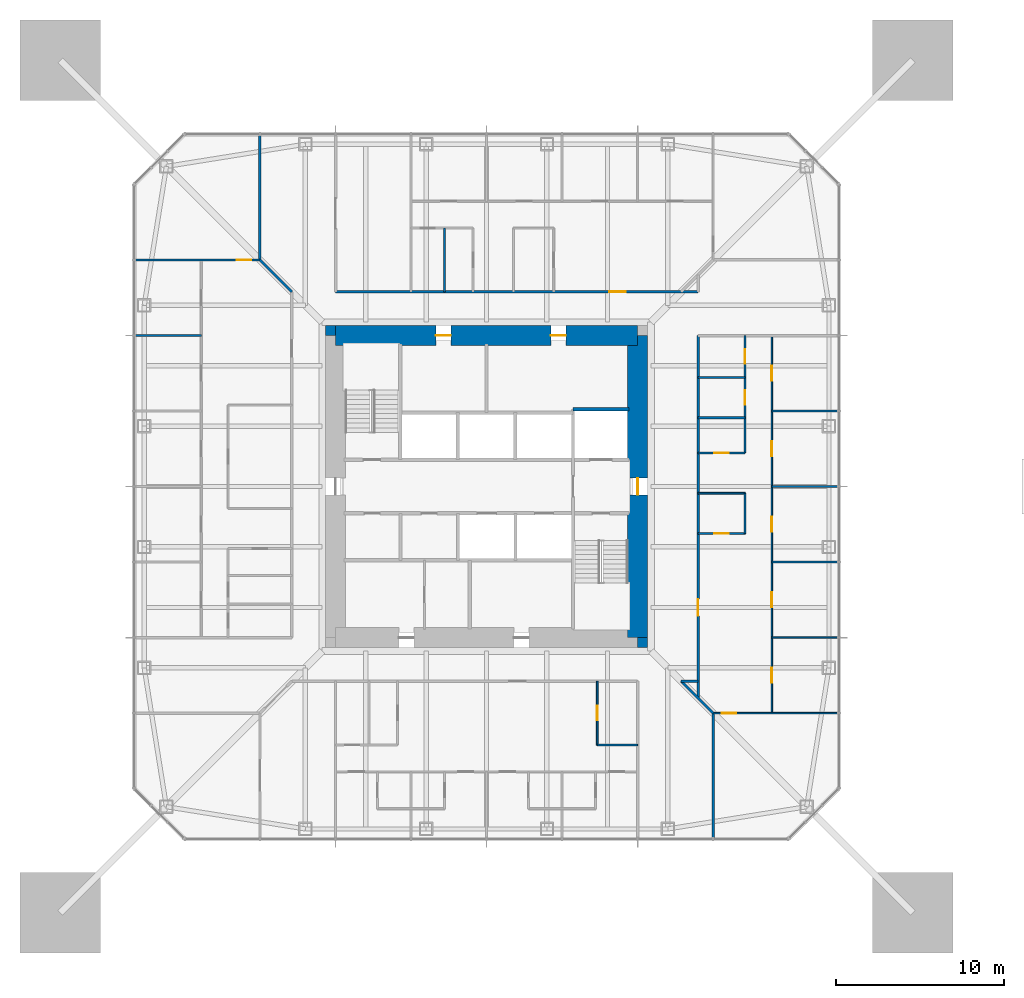
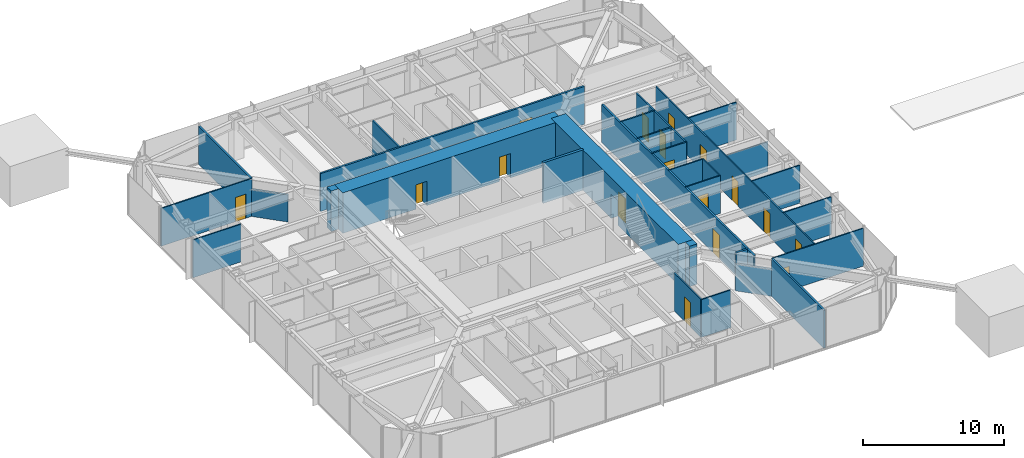
# One storey, part 15 of 25: 30 walls, 17 doors, 17 openings.
"""IFC4 building model written with IfcOpenShell, lengths in metres."""

import ifcopenshell
import ifcopenshell.guid

model = None  # the IFC model being written
_history = None  # IfcOwnerHistory: only IFC2X3 demands one
_inside = {}  # id of a spatial element -> (the spatial element, [elements in it])
_under = {}  # id of a project, library or spatial element -> (it, [spatial elements below it])
_declared = {}  # id of a project -> (the project, [libraries it declares])
_typed = {}  # id of a type object -> (the type object, [elements of that type])
_made_of = {}  # id of a material, layer set ... -> (it, [elements and type objects made of it])


def new_model(schema):
    """Start an empty IFC model of exactly this schema.

    Asked for "IFC4X3", IfcOpenShell would pick the latest addendum, in which some entities
    have other attributes; the version numbers below select the first issue.
    IFC2X3 requires an IfcOwnerHistory on every rooted entity: one is made here for all.
    """
    global model, _history
    if schema == "IFC4X3":
        model = ifcopenshell.file(schema_version=(4, 3, 0, 0))
    else:
        model = ifcopenshell.file(schema=schema)
    _inside.clear()
    _under.clear()
    _declared.clear()
    _typed.clear()
    _made_of.clear()
    _history = None
    if model.schema == "IFC2X3":
        org = make("IfcOrganization", Name="unknown")
        user = make(
            "IfcPersonAndOrganization",
            ThePerson=make("IfcPerson", FamilyName="unknown"),
            TheOrganization=org,
        )
        app = make(
            "IfcApplication",
            ApplicationDeveloper=org,
            Version="unknown",
            ApplicationFullName="unknown",
            ApplicationIdentifier="unknown",
        )
        _history = make(
            "IfcOwnerHistory",
            OwningUser=user,
            OwningApplication=app,
            ChangeAction="ADDED",
            CreationDate=0,
        )
    return model


def make(cls, **values):
    """One entity of the class cls with the attributes given. An attribute that is None is left unset."""
    return model.create_entity(
        cls, **{name: value for name, value in values.items() if value is not None}
    )


def rooted(cls, **values):
    """An entity with a GlobalId (a new one), such as an element, a storey or a relation."""
    return make(cls, GlobalId=ifcopenshell.guid.new(), OwnerHistory=_history, **values)


def si_unit(unit_type, name, prefix=None):
    """IfcSIUnit, for example si_unit("LENGTHUNIT", "METRE", prefix="MILLI")."""
    return make("IfcSIUnit", UnitType=unit_type, Prefix=prefix, Name=name)


def assignment(units):
    """IfcUnitAssignment: the units of a project."""
    return None if units is None else make("IfcUnitAssignment", Units=units)


def point(xyz):
    """IfcCartesianPoint."""
    return None if xyz is None else make("IfcCartesianPoint", Coordinates=xyz)


def direction(xyz):
    """IfcDirection."""
    return None if xyz is None else make("IfcDirection", DirectionRatios=xyz)


def frame(location, z_axis=None, x_axis=None):
    """IfcAxis2Placement3D, a coordinate frame: its origin and axes. An axis left out is left unset."""
    return make(
        "IfcAxis2Placement3D",
        Location=point(location),
        Axis=direction(z_axis),
        RefDirection=direction(x_axis),
    )


def frame_2d(location, x_axis=None):
    """IfcAxis2Placement2D, a coordinate frame in the plane: its origin and x axis."""
    return make(
        "IfcAxis2Placement2D", Location=point(location), RefDirection=direction(x_axis)
    )


def origin():
    """The frame at (0, 0, 0) with its axes left unset."""
    return frame((0.0, 0.0, 0.0))


def place(relative_to, where):
    """IfcLocalPlacement: puts the frame where relative to a parent placement (None: the world)."""
    return make(
        "IfcLocalPlacement", PlacementRelTo=relative_to, RelativePlacement=where
    )


def context(
    kind, dimensions, precision=None, world=None, true_north=None, identifier=None
):
    """IfcGeometricRepresentationContext, for example the 3D "Model" context."""
    return make(
        "IfcGeometricRepresentationContext",
        ContextIdentifier=identifier,
        ContextType=kind,
        CoordinateSpaceDimension=dimensions,
        Precision=precision,
        WorldCoordinateSystem=world,
        TrueNorth=true_north,
    )


def subcontext(parent, identifier, kind, view, scale=None):
    """IfcGeometricRepresentationSubContext, for example "Body" below "Model"."""
    return make(
        "IfcGeometricRepresentationSubContext",
        ContextIdentifier=identifier,
        ContextType=kind,
        ParentContext=parent,
        TargetScale=scale,
        TargetView=view,
    )


def project(units=None, contexts=None):
    """IfcProject with its units and contexts."""
    return rooted(
        "IfcProject",
        Name="project",
        RepresentationContexts=contexts,
        UnitsInContext=assignment(units),
    )


def spatial(cls, under=None, at=None, **own):
    """A site, building, storey or space (cls), placed at a placement, below another one or the project."""
    s = rooted(cls, ObjectPlacement=at, **own)
    if under is not None:
        _under.setdefault(under.id(), (under, []))[1].append(s)
    return s


def profile(cls, at=None, kind="AREA", **sizes):
    """A parametric profile (cls). Its sizes go by their IFC names, for example OverallWidth=200.0."""
    return make(cls, ProfileType=kind, Position=at, **sizes)


def rectangle(**sizes):
    """IfcRectangleProfileDef."""
    return profile("IfcRectangleProfileDef", **sizes)


def extrude(swept, where, along, depth):
    """IfcExtrudedAreaSolid: the profile swept, set in the frame where, extruded along a direction by depth."""
    return make(
        "IfcExtrudedAreaSolid",
        SweptArea=swept,
        Position=where,
        ExtrudedDirection=direction(along),
        Depth=depth,
    )


def shape(context_of_items, identifier, shape_type, items):
    """IfcShapeRepresentation: the items that make up one representation, for example the "Body"."""
    return make(
        "IfcShapeRepresentation",
        ContextOfItems=context_of_items,
        RepresentationIdentifier=identifier,
        RepresentationType=shape_type,
        Items=items,
    )


def material(Name=None, Category=None):
    """IfcMaterial."""
    return make("IfcMaterial", Name=Name, Category=Category)


def layer(
    of_material, thickness, ventilated=None, Name=None, Category=None, Priority=None
):
    """IfcMaterialLayer: one layer of a wall or slab, of a material (None: an air gap)."""
    return make(
        "IfcMaterialLayer",
        Material=of_material,
        LayerThickness=thickness,
        IsVentilated=ventilated,
        Name=Name,
        Category=Category,
        Priority=Priority,
    )


def layer_set(layers, Name=None):
    """IfcMaterialLayerSet."""
    return make("IfcMaterialLayerSet", MaterialLayers=layers, LayerSetName=Name)


def made_of(thing, what):
    """Note that an element or type object is made of a material, layer set ...; save() writes the relation."""
    if what is not None:
        _made_of.setdefault(what.id(), (what, []))[1].append(thing)
    return thing


def type_object(cls, material=None, **own):
    """A type object (cls), such as IfcWallType, which elements share."""
    return made_of(rooted(cls, **own), material)


def element(
    cls,
    number,
    at=None,
    inside=None,
    cuts=None,
    type_object=None,
    material=None,
    context=None,
    identifier="Body",
    shape_type=None,
    held_by="IfcProductDefinitionShape",
    body=None,
    shapes=None,
    **own,
):
    """One element of the class cls, such as IfcWall. Its Tag is "e" and its number.

    at: its placement. inside: the storey or other place that contains it. cuts: it is an
    opening in that element (IfcRelVoidsElement). A single representation is given by context,
    identifier, shape_type and body (its items); several are given by shapes. held_by: the class
    of the entity that holds the representations. save() writes the other relations.
    """
    e = rooted(cls, Tag="e%d" % number, ObjectPlacement=at, **own)
    if body is not None:
        shapes = [shape(context, identifier, shape_type, body)]
    if shapes is not None:
        e.Representation = make(held_by, Representations=shapes)
    if inside is not None:
        _inside.setdefault(inside.id(), (inside, []))[1].append(e)
    if cuts is not None:
        rooted(
            "IfcRelVoidsElement", RelatingBuildingElement=cuts, RelatedOpeningElement=e
        )
    if type_object is not None:
        _typed.setdefault(type_object.id(), (type_object, []))[1].append(e)
    return made_of(e, material)


def fill(opening, filler):
    """IfcRelFillsElement: the door or window that sits in an opening."""
    return rooted(
        "IfcRelFillsElement",
        RelatingOpeningElement=opening,
        RelatedBuildingElement=filler,
    )


def aggregate(whole, parts):
    """IfcRelAggregates: a whole, such as a stair, and the parts it consists of."""
    return rooted("IfcRelAggregates", RelatingObject=whole, RelatedObjects=parts)


def save(model, path):
    """Write the relations noted so far, then the file.

    IfcRelAggregates (storeys below a building ...), IfcRelContainedInSpatialStructure (elements
    in a storey), IfcRelDefinesByType, IfcRelAssociatesMaterial and IfcRelDeclares: one each for
    every whole, place, type object, material and project.
    """
    for whole, parts in _under.values():
        aggregate(whole, parts)
    for where, things in _inside.values():
        rooted(
            "IfcRelContainedInSpatialStructure",
            RelatedElements=things,
            RelatingStructure=where,
        )
    for kind, things in _typed.values():
        rooted("IfcRelDefinesByType", RelatedObjects=things, RelatingType=kind)
    for what, things in _made_of.values():
        rooted("IfcRelAssociatesMaterial", RelatedObjects=things, RelatingMaterial=what)
    for by, libraries in _declared.values():
        rooted("IfcRelDeclares", RelatingContext=by, RelatedDefinitions=libraries)
    model.write(path)


model = new_model("IFC4")

# Units and contexts
model_context = context("Model", 3, precision=1e-05, world=origin(), true_north=direction((0.0, 1.0)))
body_context = subcontext(model_context, "Body", "Model", "MODEL_VIEW")
ifc_project = project(units=[si_unit("LENGTHUNIT", "METRE"), si_unit("AREAUNIT", "SQUARE_METRE"), si_unit("VOLUMEUNIT", "CUBIC_METRE"), si_unit("PLANEANGLEUNIT", "RADIAN"), si_unit("MASSUNIT", "GRAM", prefix="KILO")], contexts=[model_context])

# Site, building, storey
site_placement = place(None, origin())
site = spatial("IfcSite", under=ifc_project, at=site_placement, CompositionType="ELEMENT")
building_placement = place(site_placement, origin())
building = spatial("IfcBuilding", under=site, at=building_placement, Name="Iwan Alto Co-Living Towers", CompositionType="ELEMENT")
storey_placement = place(building_placement, frame((0.0, 0.0, 101.5)))
storey = spatial("IfcBuildingStorey", under=building, at=storey_placement, Name="L27", CompositionType="ELEMENT", Elevation=101.5)

# Wall
ifc_material_1 = material(Name="Gypsum board")
ifc_layer_1 = layer(ifc_material_1, 0.02490234375, Name="Board", Category="Finish")
ifc_material_2 = material(Name="Steel ASTM A1003 ST33H cold-formed studs", Category="steel")
ifc_layer_2 = layer(ifc_material_2, 0.10009765625, Name="Studs", Category="Framing")
ifc_layer_3 = layer(ifc_material_1, 0.02490234375, Name="Board", Category="Finish")
ifc_layer_set_1 = layer_set([ifc_layer_1, ifc_layer_2, ifc_layer_3], Name="CORRIDOR WALL 150")
wall_type_1 = type_object("IfcWallType", Name="CORRIDOR WALL 150", PredefinedType="PARTITIONING", material=ifc_layer_set_1)
wall_1_placement = place(storey_placement, frame((11.60009765625, -11.60009765625, 0.0), z_axis=(0.0, 0.0, 1.0), x_axis=(1.0, 0.0, 0.0)))
element("IfcWall", 1, at=wall_1_placement, inside=storey, type_object=wall_type_1, Name="Partition L27", PredefinedType="PARTITIONING", context=body_context, shape_type="SweptSolid", body=[
    extrude(rectangle(XDim=1.0, YDim=0.14990234375, at=frame_2d((0.5, 0.0))), origin(), (0.0, 0.0, 1.0), 3.27001953125),
])

# Wall, opening, door
wall_2_placement = place(storey_placement, frame((-9.0, 11.60009765625, 0.0), z_axis=(0.0, 0.0, 1.0), x_axis=(1.0, 0.0, 0.0)))
wall_2 = element("IfcWall", 2, at=wall_2_placement, inside=storey, type_object=wall_type_1, Name="Partition L27", PredefinedType="PARTITIONING", context=body_context, shape_type="SweptSolid", body=[
    extrude(rectangle(XDim=21.60009765625, YDim=0.14990234375, at=frame_2d((10.800048828125, 0.0))), origin(), (0.0, 0.0, 1.0), 3.27001953125),
])
opening_1_placement = place(wall_2_placement, frame((16.300048828125, 0.0, 0.0)))
opening_1 = element("IfcOpeningElement", 3, at=opening_1_placement, cuts=wall_2, Name="Opening D3", PredefinedType="OPENING", context=body_context, shape_type="SweptSolid", body=[
    extrude(rectangle(XDim=1.0, YDim=2.10009765625, at=frame_2d((0.5, 1.050048828125))), frame((0.0, 0.0849609375, 0.0), z_axis=(0.0, -1.0, 0.0), x_axis=(1.0, 0.0, 0.0)), (0.0, 0.0, 1.0), 0.169921875),
])
ifc_material_3 = material(Name="Steel frame with timber leaf", Category="steel")
door_type_1 = type_object("IfcDoorType", Name="FLAT ENTRANCE DOOR FD30S 1000X2100", OperationType="SINGLE_SWING_LEFT", PredefinedType="DOOR", material=ifc_material_3)
door_1_placement = place(opening_1_placement, origin())
door_1 = element("IfcDoor", 4, at=door_1_placement, inside=storey, type_object=door_type_1, Name="Cluster lounge door L27", OperationType="SINGLE_SWING_LEFT", OverallHeight=2.10009765625, OverallWidth=1.0, PredefinedType="DOOR", context=body_context, shape_type="SweptSolid", body=[
    extrude(rectangle(XDim=1.0, YDim=2.10009765625, at=frame_2d((0.5, 1.050048828125))), frame((0.0, 0.02490234375, 0.0), z_axis=(0.0, -1.0, 0.0), x_axis=(1.0, 0.0, 0.0)), (0.0, 0.0, 1.0), 0.050048828125),
])
fill(opening_1, door_1)

# Wall
wall_3_placement = place(storey_placement, frame((13.5, -20.93994140625, 0.0), z_axis=(0.0, 0.0, 1.0), x_axis=(0.0, 1.0, 0.0)))
element("IfcWall", 5, at=wall_3_placement, inside=storey, type_object=wall_type_1, Name="Partition L27", PredefinedType="PARTITIONING", context=body_context, shape_type="SweptSolid", body=[
    extrude(rectangle(XDim=7.43994140625, YDim=0.14990234375, at=frame_2d((3.719970703125, 0.0))), origin(), (0.0, 0.0, 1.0), 3.27001953125),
])

# Wall, opening, door
wall_4_placement = place(storey_placement, frame((12.60009765625, -12.60009765625, 0.0), z_axis=(0.0, 0.0, 1.0), x_axis=(0.0, 1.0, 0.0)))
wall_4 = element("IfcWall", 6, at=wall_4_placement, inside=storey, type_object=wall_type_1, Name="Partition L27", PredefinedType="PARTITIONING", context=body_context, shape_type="SweptSolid", body=[
    extrude(rectangle(XDim=21.60009765625, YDim=0.14990234375, at=frame_2d((10.800048828125, 0.0))), origin(), (0.0, 0.0, 1.0), 3.27001953125),
])
opening_2_placement = place(wall_4_placement, frame((4.89990234375, 0.0, 0.0)))
opening_2 = element("IfcOpeningElement", 7, at=opening_2_placement, cuts=wall_4, Name="Opening D3", PredefinedType="OPENING", context=body_context, shape_type="SweptSolid", body=[
    extrude(rectangle(XDim=1.0, YDim=2.10009765625, at=frame_2d((0.5, 1.050048828125))), frame((0.0, 0.0849609375, 0.0), z_axis=(0.0, -1.0, 0.0), x_axis=(1.0, 0.0, 0.0)), (0.0, 0.0, 1.0), 0.169921875),
])
door_2_placement = place(opening_2_placement, frame((1.0, 0.0, 0.0), z_axis=(0.0, 0.0, 1.0), x_axis=(-1.0, 0.0, 0.0)))
door_2 = element("IfcDoor", 8, at=door_2_placement, inside=storey, type_object=door_type_1, Name="Cluster lounge door L27", OperationType="SINGLE_SWING_LEFT", OverallHeight=2.10009765625, OverallWidth=1.0, PredefinedType="DOOR", context=body_context, shape_type="SweptSolid", body=[
    extrude(rectangle(XDim=1.0, YDim=2.10009765625, at=frame_2d((0.5, 1.050048828125))), frame((0.0, 0.02490234375, 0.0), z_axis=(0.0, -1.0, 0.0), x_axis=(1.0, 0.0, 0.0)), (0.0, 0.0, 1.0), 0.050048828125),
])
fill(opening_2, door_2)

# Walls
wall_5_placement = place(storey_placement, frame((-13.5, 13.5, 0.0), z_axis=(0.0, 0.0, 1.0), x_axis=(0.0, 1.0, 0.0)))
element("IfcWall", 9, at=wall_5_placement, inside=storey, type_object=wall_type_1, Name="Partition L27", PredefinedType="PARTITIONING", context=body_context, shape_type="SweptSolid", body=[
    extrude(rectangle(XDim=7.43994140625, YDim=0.14990234375, at=frame_2d((3.719970703125, 0.0))), origin(), (0.0, 0.0, 1.0), 3.27001953125),
])
for number, where, z_axis, x_axis, name in (
    (10, (13.5, -13.5, 0.0), (0.0, 0.0, 1.0), (-0.707106781187, 0.707106781187, 0.0), "Partition L27"),
    (11, (-11.60009765625, 11.60009765625, 0.0), (0.0, 0.0, 1.0), (-0.707106781187, 0.707106781187, 0.0), "Partition L27"),
):
    element("IfcWall", number, at=place(storey_placement, frame(where, z_axis=z_axis, x_axis=x_axis)), inside=storey, type_object=wall_type_1, Name=name, PredefinedType="PARTITIONING", context=body_context, shape_type="SweptSolid", body=[
        extrude(rectangle(XDim=2.686767578125, YDim=0.14990234375, at=frame_2d((1.34326171875, 0.0))), origin(), (0.0, 0.0, 1.0), 2.343017578125),
    ])
ifc_layer_4 = layer(ifc_material_1, 0.012451171875, Name="Board", Category="Finish")
ifc_layer_5 = layer(ifc_material_2, 0.074951171875, Name="Studs", Category="Framing")
ifc_layer_6 = layer(ifc_material_1, 0.012451171875, Name="Board", Category="Finish")
ifc_layer_set_2 = layer_set([ifc_layer_4, ifc_layer_5, ifc_layer_6], Name="PARTITION 100")
wall_type_2 = type_object("IfcWallType", Name="PARTITION 100", PredefinedType="PARTITIONING", material=ifc_layer_set_2)
wall_6_placement = place(storey_placement, frame((6.60009765625, -15.39990234375, 0.0), z_axis=(0.0, 0.0, 1.0), x_axis=(1.0, 0.0, 0.0)))
element("IfcWall", 12, at=wall_6_placement, inside=storey, type_object=wall_type_2, Name="Partition L27", PredefinedType="PARTITIONING", context=body_context, shape_type="SweptSolid", body=[
    extrude(rectangle(XDim=2.39990234375, YDim=0.10009765625, at=frame_2d((1.199951171875, 0.0))), origin(), (0.0, 0.0, 1.0), 3.27001953125),
])

# Wall, opening, door
wall_7_placement = place(storey_placement, frame((13.5, -13.5, 0.0), z_axis=(0.0, 0.0, 1.0), x_axis=(1.0, 0.0, 0.0)))
wall_7 = element("IfcWall", 13, at=wall_7_placement, inside=storey, type_object=wall_type_2, Name="Partition L27", PredefinedType="PARTITIONING", context=body_context, shape_type="SweptSolid", body=[
    extrude(rectangle(XDim=7.43994140625, YDim=0.10009765625, at=frame_2d((3.719970703125, 0.0))), origin(), (0.0, 0.0, 1.0), 3.27001953125),
])
opening_3_placement = place(wall_7_placement, frame((0.52490234375, 0.0, 0.0)))
opening_3 = element("IfcOpeningElement", 14, at=opening_3_placement, cuts=wall_7, Name="Opening D2", PredefinedType="OPENING", context=body_context, shape_type="SweptSolid", body=[
    extrude(rectangle(XDim=0.85009765625, YDim=2.10009765625, at=frame_2d((0.425048828125, 1.050048828125))), frame((0.0, 0.06005859375, 0.0), z_axis=(0.0, -1.0, 0.0), x_axis=(1.0, 0.0, 0.0)), (0.0, 0.0, 1.0), 0.1201171875),
])
ifc_material_4 = material(Name="Timber leaf in steel frame", Category="steel")
door_type_2 = type_object("IfcDoorType", Name="ROOM DOOR 850X2100", OperationType="SINGLE_SWING_LEFT", PredefinedType="DOOR", material=ifc_material_4)
door_3_placement = place(opening_3_placement, origin())
door_3 = element("IfcDoor", 15, at=door_3_placement, inside=storey, type_object=door_type_2, Name="Shared kitchen and lounge door L27", OperationType="SINGLE_SWING_LEFT", OverallHeight=2.10009765625, OverallWidth=0.85009765625, PredefinedType="DOOR", context=body_context, shape_type="SweptSolid", body=[
    extrude(rectangle(XDim=0.85009765625, YDim=2.10009765625, at=frame_2d((0.425048828125, 1.050048828125))), frame((0.0, 0.02490234375, 0.0), z_axis=(0.0, -1.0, 0.0), x_axis=(1.0, 0.0, 0.0)), (0.0, 0.0, 1.0), 0.050048828125),
])
fill(opening_3, door_3)

# Walls
for number, where, z_axis, x_axis, name in (
    (16, (17.0, -9.0, 0.0), (0.0, 0.0, 1.0), (1.0, 0.0, 0.0), "Partition L27"),
    (17, (17.0, -4.5, 0.0), (0.0, 0.0, 1.0), (1.0, 0.0, 0.0), "Partition L27"),
):
    element("IfcWall", number, at=place(storey_placement, frame(where, z_axis=z_axis, x_axis=x_axis)), inside=storey, type_object=wall_type_2, Name=name, PredefinedType="PARTITIONING", context=body_context, shape_type="SweptSolid", body=[
        extrude(rectangle(XDim=3.93994140625, YDim=0.10009765625, at=frame_2d((1.969970703125, 0.0))), origin(), (0.0, 0.0, 1.0), 3.27001953125),
    ])

# Wall, opening, door
wall_8_placement = place(storey_placement, frame((12.60009765625, -2.800048828125, 0.0), z_axis=(0.0, 0.0, 1.0), x_axis=(1.0, 0.0, 0.0)))
wall_8 = element("IfcWall", 18, at=wall_8_placement, inside=storey, type_object=wall_type_2, Name="Partition L27", PredefinedType="PARTITIONING", context=body_context, shape_type="SweptSolid", body=[
    extrude(rectangle(XDim=2.7998046875, YDim=0.10009765625, at=frame_2d((1.39990234375, 0.0))), origin(), (0.0, 0.0, 1.0), 3.27001953125),
])
opening_4_placement = place(wall_8_placement, frame((0.97509765625, 0.0, 0.0)))
opening_4 = element("IfcOpeningElement", 19, at=opening_4_placement, cuts=wall_8, Name="Opening D2", PredefinedType="OPENING", context=body_context, shape_type="SweptSolid", body=[
    extrude(rectangle(XDim=0.85009765625, YDim=2.10009765625, at=frame_2d((0.425048828125, 1.050048828125))), frame((0.0, 0.06005859375, 0.0), z_axis=(0.0, -1.0, 0.0), x_axis=(1.0, 0.0, 0.0)), (0.0, 0.0, 1.0), 0.1201171875),
])
door_4_placement = place(opening_4_placement, frame((0.85009765625, 0.0, 0.0), z_axis=(0.0, 0.0, 1.0), x_axis=(-1.0, 0.0, 0.0)))
door_4 = element("IfcDoor", 20, at=door_4_placement, inside=storey, type_object=door_type_2, Name="Store room door L27", OperationType="SINGLE_SWING_RIGHT", OverallHeight=2.10009765625, OverallWidth=0.85009765625, PredefinedType="DOOR", context=body_context, shape_type="SweptSolid", body=[
    extrude(rectangle(XDim=0.85009765625, YDim=2.10009765625, at=frame_2d((0.425048828125, 1.050048828125))), frame((0.0, 0.02490234375, 0.0), z_axis=(0.0, -1.0, 0.0), x_axis=(1.0, 0.0, 0.0)), (0.0, 0.0, 1.0), 0.050048828125),
])
fill(opening_4, door_4)

# Walls
wall_9_placement = place(storey_placement, frame((12.60009765625, -0.39990234375, 0.0), z_axis=(0.0, 0.0, 1.0), x_axis=(1.0, 0.0, 0.0)))
element("IfcWall", 21, at=wall_9_placement, inside=storey, type_object=wall_type_2, Name="Partition L27", PredefinedType="PARTITIONING", context=body_context, shape_type="SweptSolid", body=[
    extrude(rectangle(XDim=2.7998046875, YDim=0.10009765625, at=frame_2d((1.39990234375, 0.0))), origin(), (0.0, 0.0, 1.0), 3.27001953125),
])
wall_10_placement = place(storey_placement, frame((17.0, 0.0, 0.0), z_axis=(0.0, 0.0, 1.0), x_axis=(1.0, 0.0, 0.0)))
element("IfcWall", 22, at=wall_10_placement, inside=storey, type_object=wall_type_2, Name="Partition L27", PredefinedType="PARTITIONING", context=body_context, shape_type="SweptSolid", body=[
    extrude(rectangle(XDim=3.93994140625, YDim=0.10009765625, at=frame_2d((1.969970703125, 0.0))), origin(), (0.0, 0.0, 1.0), 2.586669921875),
])
for number, where, z_axis, x_axis, name in (
    (23, (17.0, 4.5, 0.0), (0.0, 0.0, 1.0), (1.0, 0.0, 0.0), "Partition L27"),
    (24, (-20.93994140625, 9.0, 0.0), (0.0, 0.0, 1.0), (1.0, 0.0, 0.0), "Partition L27"),
):
    element("IfcWall", number, at=place(storey_placement, frame(where, z_axis=z_axis, x_axis=x_axis)), inside=storey, type_object=wall_type_2, Name=name, PredefinedType="PARTITIONING", context=body_context, shape_type="SweptSolid", body=[
        extrude(rectangle(XDim=3.93994140625, YDim=0.10009765625, at=frame_2d((1.969970703125, 0.0))), origin(), (0.0, 0.0, 1.0), 3.27001953125),
    ])

# Wall, opening, door
wall_11_placement = place(storey_placement, frame((-20.93994140625, 13.5, 0.0), z_axis=(0.0, 0.0, 1.0), x_axis=(1.0, 0.0, 0.0)))
wall_11 = element("IfcWall", 25, at=wall_11_placement, inside=storey, type_object=wall_type_2, Name="Partition L27", PredefinedType="PARTITIONING", context=body_context, shape_type="SweptSolid", body=[
    extrude(rectangle(XDim=7.43994140625, YDim=0.10009765625, at=frame_2d((3.719970703125, 0.0))), origin(), (0.0, 0.0, 1.0), 3.27001953125),
])
opening_5_placement = place(wall_11_placement, frame((6.06494140625, 0.0, 0.0)))
opening_5 = element("IfcOpeningElement", 26, at=opening_5_placement, cuts=wall_11, Name="Opening D2", PredefinedType="OPENING", context=body_context, shape_type="SweptSolid", body=[
    extrude(rectangle(XDim=0.85009765625, YDim=2.10009765625, at=frame_2d((0.425048828125, 1.050048828125))), frame((0.0, 0.06005859375, 0.0), z_axis=(0.0, -1.0, 0.0), x_axis=(1.0, 0.0, 0.0)), (0.0, 0.0, 1.0), 0.1201171875),
])
door_5_placement = place(opening_5_placement, frame((0.85009765625, 0.0, 0.0), z_axis=(0.0, 0.0, 1.0), x_axis=(-1.0, 0.0, 0.0)))
door_5 = element("IfcDoor", 27, at=door_5_placement, inside=storey, type_object=door_type_2, Name="Shared kitchen and lounge door L27", OperationType="SINGLE_SWING_LEFT", OverallHeight=2.10009765625, OverallWidth=0.85009765625, PredefinedType="DOOR", context=body_context, shape_type="SweptSolid", body=[
    extrude(rectangle(XDim=0.85009765625, YDim=2.10009765625, at=frame_2d((0.425048828125, 1.050048828125))), frame((0.0, 0.02490234375, 0.0), z_axis=(0.0, -1.0, 0.0), x_axis=(1.0, 0.0, 0.0)), (0.0, 0.0, 1.0), 0.050048828125),
])
fill(opening_5, door_5)

# Wall, openings, doors
wall_12_placement = place(storey_placement, frame((17.0, -13.5, 0.0), z_axis=(0.0, 0.0, 1.0), x_axis=(0.0, 1.0, 0.0)))
wall_12 = element("IfcWall", 28, at=wall_12_placement, inside=storey, type_object=wall_type_2, Name="Partition L27", PredefinedType="PARTITIONING", context=body_context, shape_type="SweptSolid", body=[
    extrude(rectangle(XDim=22.5, YDim=0.10009765625, at=frame_2d((11.25, 0.0))), origin(), (0.0, 0.0, 1.0), 3.27001953125),
])
opening_6_placement = place(wall_12_placement, frame((1.800048828125, 0.0, 0.0)))
opening_6 = element("IfcOpeningElement", 29, at=opening_6_placement, cuts=wall_12, Name="Opening D1", PredefinedType="OPENING", context=body_context, shape_type="SweptSolid", body=[
    extrude(rectangle(XDim=0.89990234375, YDim=2.10009765625, at=frame_2d((0.449951171875, 1.050048828125))), frame((0.0, 0.06005859375, 0.0), z_axis=(0.0, -1.0, 0.0), x_axis=(1.0, 0.0, 0.0)), (0.0, 0.0, 1.0), 0.1201171875),
])
opening_7_placement = place(wall_12_placement, frame((6.300048828125, 0.0, 0.0)))
opening_7 = element("IfcOpeningElement", 30, at=opening_7_placement, cuts=wall_12, Name="Opening D1", PredefinedType="OPENING", context=body_context, shape_type="SweptSolid", body=[
    extrude(rectangle(XDim=0.89990234375, YDim=2.10009765625, at=frame_2d((0.449951171875, 1.050048828125))), frame((0.0, 0.06005859375, 0.0), z_axis=(0.0, -1.0, 0.0), x_axis=(1.0, 0.0, 0.0)), (0.0, 0.0, 1.0), 0.1201171875),
])
opening_8_placement = place(wall_12_placement, frame((10.800048828125, 0.0, 0.0)))
opening_8 = element("IfcOpeningElement", 31, at=opening_8_placement, cuts=wall_12, Name="Opening D1", PredefinedType="OPENING", context=body_context, shape_type="SweptSolid", body=[
    extrude(rectangle(XDim=0.89990234375, YDim=2.10009765625, at=frame_2d((0.449951171875, 1.050048828125))), frame((0.0, 0.06005859375, 0.0), z_axis=(0.0, -1.0, 0.0), x_axis=(1.0, 0.0, 0.0)), (0.0, 0.0, 1.0), 0.1201171875),
])
opening_9_placement = place(wall_12_placement, frame((15.300048828125, 0.0, 0.0)))
opening_9 = element("IfcOpeningElement", 32, at=opening_9_placement, cuts=wall_12, Name="Opening D1", PredefinedType="OPENING", context=body_context, shape_type="SweptSolid", body=[
    extrude(rectangle(XDim=0.89990234375, YDim=2.10009765625, at=frame_2d((0.449951171875, 1.050048828125))), frame((0.0, 0.06005859375, 0.0), z_axis=(0.0, -1.0, 0.0), x_axis=(1.0, 0.0, 0.0)), (0.0, 0.0, 1.0), 0.1201171875),
])
opening_10_placement = place(wall_12_placement, frame((19.800048828125, 0.0, 0.0)))
opening_10 = element("IfcOpeningElement", 33, at=opening_10_placement, cuts=wall_12, Name="Opening D1", PredefinedType="OPENING", context=body_context, shape_type="SweptSolid", body=[
    extrude(rectangle(XDim=0.89990234375, YDim=2.10009765625, at=frame_2d((0.449951171875, 1.050048828125))), frame((0.0, 0.06005859375, 0.0), z_axis=(0.0, -1.0, 0.0), x_axis=(1.0, 0.0, 0.0)), (0.0, 0.0, 1.0), 0.1201171875),
])
ifc_material_5 = material(Name="Timber leaf in steel frame", Category="steel")
door_type_3 = type_object("IfcDoorType", Name="BEDROOM DOOR 900X2100", OperationType="SINGLE_SWING_LEFT", PredefinedType="DOOR", material=ifc_material_5)
door_6_placement = place(opening_6_placement, origin())
door_6 = element("IfcDoor", 34, at=door_6_placement, inside=storey, type_object=door_type_3, Name="Study bedroom door L27", OperationType="SINGLE_SWING_LEFT", OverallHeight=2.10009765625, OverallWidth=0.89990234375, PredefinedType="DOOR", context=body_context, shape_type="SweptSolid", body=[
    extrude(rectangle(XDim=0.89990234375, YDim=2.10009765625, at=frame_2d((0.449951171875, 1.050048828125))), frame((0.0, 0.02490234375, 0.0), z_axis=(0.0, -1.0, 0.0), x_axis=(1.0, 0.0, 0.0)), (0.0, 0.0, 1.0), 0.050048828125),
])
fill(opening_6, door_6)
door_7_placement = place(opening_7_placement, origin())
door_7 = element("IfcDoor", 35, at=door_7_placement, inside=storey, type_object=door_type_3, Name="Study bedroom door L27", OperationType="SINGLE_SWING_LEFT", OverallHeight=2.10009765625, OverallWidth=0.89990234375, PredefinedType="DOOR", context=body_context, shape_type="SweptSolid", body=[
    extrude(rectangle(XDim=0.89990234375, YDim=2.10009765625, at=frame_2d((0.449951171875, 1.050048828125))), frame((0.0, 0.02490234375, 0.0), z_axis=(0.0, -1.0, 0.0), x_axis=(1.0, 0.0, 0.0)), (0.0, 0.0, 1.0), 0.050048828125),
])
fill(opening_7, door_7)
door_8_placement = place(opening_8_placement, origin())
door_8 = element("IfcDoor", 36, at=door_8_placement, inside=storey, type_object=door_type_3, Name="Study bedroom door L27", OperationType="SINGLE_SWING_LEFT", OverallHeight=2.10009765625, OverallWidth=0.89990234375, PredefinedType="DOOR", context=body_context, shape_type="SweptSolid", body=[
    extrude(rectangle(XDim=0.89990234375, YDim=2.10009765625, at=frame_2d((0.449951171875, 1.050048828125))), frame((0.0, 0.02490234375, 0.0), z_axis=(0.0, -1.0, 0.0), x_axis=(1.0, 0.0, 0.0)), (0.0, 0.0, 1.0), 0.050048828125),
])
fill(opening_8, door_8)
door_9_placement = place(opening_9_placement, origin())
door_9 = element("IfcDoor", 37, at=door_9_placement, inside=storey, type_object=door_type_3, Name="Study bedroom door L27", OperationType="SINGLE_SWING_RIGHT", OverallHeight=2.10009765625, OverallWidth=0.89990234375, PredefinedType="DOOR", context=body_context, shape_type="SweptSolid", body=[
    extrude(rectangle(XDim=0.89990234375, YDim=2.10009765625, at=frame_2d((0.449951171875, 1.050048828125))), frame((0.0, 0.02490234375, 0.0), z_axis=(0.0, -1.0, 0.0), x_axis=(1.0, 0.0, 0.0)), (0.0, 0.0, 1.0), 0.050048828125),
])
fill(opening_9, door_9)
door_10_placement = place(opening_10_placement, origin())
door_10 = element("IfcDoor", 38, at=door_10_placement, inside=storey, type_object=door_type_3, Name="Study bedroom door L27", OperationType="SINGLE_SWING_RIGHT", OverallHeight=2.10009765625, OverallWidth=0.89990234375, PredefinedType="DOOR", context=body_context, shape_type="SweptSolid", body=[
    extrude(rectangle(XDim=0.89990234375, YDim=2.10009765625, at=frame_2d((0.449951171875, 1.050048828125))), frame((0.0, 0.02490234375, 0.0), z_axis=(0.0, -1.0, 0.0), x_axis=(1.0, 0.0, 0.0)), (0.0, 0.0, 1.0), 0.050048828125),
])
fill(opening_10, door_10)

# Wall
wall_13_placement = place(storey_placement, frame((15.39990234375, -2.800048828125, 0.0), z_axis=(0.0, 0.0, 1.0), x_axis=(0.0, 1.0, 0.0)))
element("IfcWall", 39, at=wall_13_placement, inside=storey, type_object=wall_type_2, Name="Partition L27", PredefinedType="PARTITIONING", context=body_context, shape_type="SweptSolid", body=[
    extrude(rectangle(XDim=2.400146484375, YDim=0.10009765625, at=frame_2d((1.2001953125, 0.0))), origin(), (0.0, 0.0, 1.0), 3.27001953125),
])

# Wall, opening, door
wall_14_placement = place(storey_placement, frame((6.60009765625, -15.39990234375, 0.0), z_axis=(0.0, 0.0, 1.0), x_axis=(0.0, 1.0, 0.0)))
wall_14 = element("IfcWall", 40, at=wall_14_placement, inside=storey, type_object=wall_type_2, Name="Partition L27", PredefinedType="PARTITIONING", context=body_context, shape_type="SweptSolid", body=[
    extrude(rectangle(XDim=3.7998046875, YDim=0.10009765625, at=frame_2d((1.89990234375, 0.0))), origin(), (0.0, 0.0, 1.0), 3.27001953125),
])
opening_11_placement = place(wall_14_placement, frame((1.47509765625, 0.0, 0.0)))
opening_11 = element("IfcOpeningElement", 41, at=opening_11_placement, cuts=wall_14, Name="Opening D2", PredefinedType="OPENING", context=body_context, shape_type="SweptSolid", body=[
    extrude(rectangle(XDim=0.85009765625, YDim=2.10009765625, at=frame_2d((0.425048828125, 1.050048828125))), frame((0.0, 0.06005859375, 0.0), z_axis=(0.0, -1.0, 0.0), x_axis=(1.0, 0.0, 0.0)), (0.0, 0.0, 1.0), 0.1201171875),
])
door_11_placement = place(opening_11_placement, origin())
door_11 = element("IfcDoor", 42, at=door_11_placement, inside=storey, type_object=door_type_2, Name="Study room door L27", OperationType="SINGLE_SWING_RIGHT", OverallHeight=2.10009765625, OverallWidth=0.85009765625, PredefinedType="DOOR", context=body_context, shape_type="SweptSolid", body=[
    extrude(rectangle(XDim=0.85009765625, YDim=2.10009765625, at=frame_2d((0.425048828125, 1.050048828125))), frame((0.0, 0.02490234375, 0.0), z_axis=(0.0, -1.0, 0.0), x_axis=(1.0, 0.0, 0.0)), (0.0, 0.0, 1.0), 0.050048828125),
])
fill(opening_11, door_11)

# Walls
ifc_material_6 = material(Name="Concrete f'c 70 MPa", Category="concrete")
ifc_layer_7 = layer(ifc_material_6, 0.199951171875)
ifc_layer_set_3 = layer_set([ifc_layer_7], Name="SHAFT WALL 200")
wall_type_3 = type_object("IfcWallType", Name="SHAFT WALL 200", PredefinedType="SOLIDWALL", material=ifc_layer_set_3)
wall_15_placement = place(storey_placement, frame((5.14990234375, 4.60009765625, 0.0), z_axis=(0.0, 0.0, 1.0), x_axis=(1.0, 0.0, 0.0)))
element("IfcWall", 43, at=wall_15_placement, inside=storey, type_object=wall_type_3, Name="Shaft wall L27", PredefinedType="SOLIDWALL", context=body_context, shape_type="SweptSolid", body=[
    extrude(rectangle(XDim=3.340087890625, YDim=0.199951171875, at=frame_2d((1.669921875, 0.0))), origin(), (0.0, 0.0, 1.0), 3.5),
])
ifc_material_7 = material(Name="Concrete f'c 70 MPa", Category="concrete")
ifc_layer_8 = layer(ifc_material_7, 0.60009765625)
ifc_layer_set_4 = layer_set([ifc_layer_8], Name="T1 CORE CORNER FILL 600")
wall_type_4 = type_object("IfcWallType", Name="T1 CORE CORNER FILL 600", PredefinedType="SOLIDWALL", material=ifc_layer_set_4)
for number, where, z_axis, x_axis, name in (
    (44, (9.0, -9.300048828125, 0.0), (0.0, 0.0, 1.0), (1.0, 0.0, 0.0), "T1 core corner SE L27"),
    (45, (-9.60009765625, 9.300048828125, 0.0), (0.0, 0.0, 1.0), (1.0, 0.0, 0.0), "T1 core corner NW L27"),
):
    element("IfcWall", number, at=place(storey_placement, frame(where, z_axis=z_axis, x_axis=x_axis)), inside=storey, type_object=wall_type_4, Name=name, PredefinedType="SOLIDWALL", context=body_context, shape_type="SweptSolid", body=[
        extrude(rectangle(XDim=0.60009765625, YDim=0.60009765625, at=frame_2d((0.300048828125, 0.0))), origin(), (0.0, 0.0, 1.0), 3.5),
    ])

# Wall, openings, doors
ifc_material_8 = material(Name="Concrete f'c 70 MPa", Category="concrete")
ifc_layer_9 = layer(ifc_material_8, 1.199951171875)
ifc_layer_set_5 = layer_set([ifc_layer_9], Name="T1 CORE WALL 1200")
wall_type_5 = type_object("IfcWallType", Name="T1 CORE WALL 1200", PredefinedType="SHEAR", material=ifc_layer_set_5)
wall_16_placement = place(storey_placement, frame((9.0, 9.0, 0.0), z_axis=(0.0, 0.0, 1.0), x_axis=(-1.0, 0.0, 0.0)))
wall_16 = element("IfcWall", 46, at=wall_16_placement, inside=storey, type_object=wall_type_5, Name="T1 core wall N L27", PredefinedType="SHEAR", context=body_context, shape_type="SweptSolid", body=[
    extrude(rectangle(XDim=18.0, YDim=1.199951171875, at=frame_2d((9.0, 0.0))), origin(), (0.0, 0.0, 1.0), 3.5),
])
opening_12_placement = place(wall_16_placement, frame((11.125, 0.0, 0.0)))
opening_12 = element("IfcOpeningElement", 47, at=opening_12_placement, cuts=wall_16, Name="Opening D8", PredefinedType="OPENING", context=body_context, shape_type="SweptSolid", body=[
    extrude(rectangle(XDim=0.89990234375, YDim=2.10009765625, at=frame_2d((0.449951171875, 1.050048828125))), frame((0.0, 0.60986328125, 0.0), z_axis=(0.0, -1.0, 0.0), x_axis=(1.0, 0.0, 0.0)), (0.0, 0.0, 1.0), 1.219970703125),
])
opening_13_placement = place(wall_16_placement, frame((4.27490234375, 0.0, 0.0)))
opening_13 = element("IfcOpeningElement", 48, at=opening_13_placement, cuts=wall_16, Name="Opening D8", PredefinedType="OPENING", context=body_context, shape_type="SweptSolid", body=[
    extrude(rectangle(XDim=0.89990234375, YDim=2.10009765625, at=frame_2d((0.449951171875, 1.050048828125))), frame((0.0, 0.60986328125, 0.0), z_axis=(0.0, -1.0, 0.0), x_axis=(1.0, 0.0, 0.0)), (0.0, 0.0, 1.0), 1.219970703125),
])
ifc_material_9 = material(Name="Steel frame with timber leaf", Category="steel")
door_type_4 = type_object("IfcDoorType", Name="RISER DOOR FD120 900X2100", OperationType="SINGLE_SWING_LEFT", PredefinedType="DOOR", material=ifc_material_9)
door_12_placement = place(opening_12_placement, origin())
door_12 = element("IfcDoor", 49, at=door_12_placement, inside=storey, type_object=door_type_4, Name="Electrical riser core door L27", OperationType="SINGLE_SWING_RIGHT", OverallHeight=2.10009765625, OverallWidth=0.89990234375, PredefinedType="DOOR", context=body_context, shape_type="SweptSolid", body=[
    extrude(rectangle(XDim=0.89990234375, YDim=2.10009765625, at=frame_2d((0.449951171875, 1.050048828125))), frame((0.0, 0.02490234375, 0.0), z_axis=(0.0, -1.0, 0.0), x_axis=(1.0, 0.0, 0.0)), (0.0, 0.0, 1.0), 0.050048828125),
])
fill(opening_12, door_12)
door_13_placement = place(opening_13_placement, origin())
door_13 = element("IfcDoor", 50, at=door_13_placement, inside=storey, type_object=door_type_4, Name="Water and drainage riser core door L27", OperationType="SINGLE_SWING_RIGHT", OverallHeight=2.10009765625, OverallWidth=0.89990234375, PredefinedType="DOOR", context=body_context, shape_type="SweptSolid", body=[
    extrude(rectangle(XDim=0.89990234375, YDim=2.10009765625, at=frame_2d((0.449951171875, 1.050048828125))), frame((0.0, 0.02490234375, 0.0), z_axis=(0.0, -1.0, 0.0), x_axis=(1.0, 0.0, 0.0)), (0.0, 0.0, 1.0), 0.050048828125),
])
fill(opening_13, door_13)

# Wall, opening, door
wall_17_placement = place(storey_placement, frame((9.0, -9.0, 0.0), z_axis=(0.0, 0.0, 1.0), x_axis=(0.0, 1.0, 0.0)))
wall_17 = element("IfcWall", 51, at=wall_17_placement, inside=storey, type_object=wall_type_5, Name="T1 core wall E L27", PredefinedType="SHEAR", context=body_context, shape_type="SweptSolid", body=[
    extrude(rectangle(XDim=18.0, YDim=1.199951171875, at=frame_2d((9.0, 0.0))), origin(), (0.0, 0.0, 1.0), 3.5),
])
opening_14_placement = place(wall_17_placement, frame((8.5, 0.0, 0.0)))
opening_14 = element("IfcOpeningElement", 52, at=opening_14_placement, cuts=wall_17, Name="Opening D7", PredefinedType="OPENING", context=body_context, shape_type="SweptSolid", body=[
    extrude(rectangle(XDim=1.0, YDim=2.10009765625, at=frame_2d((0.5, 1.050048828125))), frame((0.0, 0.60986328125, 0.0), z_axis=(0.0, -1.0, 0.0), x_axis=(1.0, 0.0, 0.0)), (0.0, 0.0, 1.0), 1.219970703125),
])
ifc_material_10 = material(Name="Steel frame with timber leaf", Category="steel")
door_type_5 = type_object("IfcDoorType", Name="CORE DOOR FD120S 1000X2100", OperationType="SINGLE_SWING_LEFT", PredefinedType="DOOR", material=ifc_material_10)
door_14_placement = place(opening_14_placement, origin())
door_14 = element("IfcDoor", 53, at=door_14_placement, inside=storey, type_object=door_type_5, Name="Firefighting lobby core door L27", OperationType="SINGLE_SWING_LEFT", OverallHeight=2.10009765625, OverallWidth=1.0, PredefinedType="DOOR", context=body_context, shape_type="SweptSolid", body=[
    extrude(rectangle(XDim=1.0, YDim=2.10009765625, at=frame_2d((0.5, 1.050048828125))), frame((0.0, 0.02490234375, 0.0), z_axis=(0.0, -1.0, 0.0), x_axis=(1.0, 0.0, 0.0)), (0.0, 0.0, 1.0), 0.050048828125),
])
fill(opening_14, door_14)

ifc_material_11 = material(Name="Cement board")
ifc_layer_10 = layer(ifc_material_11, 0.012451171875, Name="Board", Category="Finish")
ifc_layer_11 = layer(ifc_material_2, 0.094970703125, Name="Studs", Category="Framing")
ifc_layer_12 = layer(ifc_material_11, 0.012451171875, Name="Board", Category="Finish")
ifc_layer_set_6 = layer_set([ifc_layer_10, ifc_layer_11, ifc_layer_12], Name="WET AREA PARTITION 120")
wall_type_6 = type_object("IfcWallType", Name="WET AREA PARTITION 120", PredefinedType="PARTITIONING", material=ifc_layer_set_6)
wall_18_placement = place(storey_placement, frame((12.60009765625, 2.0, 0.0), z_axis=(0.0, 0.0, 1.0), x_axis=(1.0, 0.0, 0.0)))
wall_18 = element("IfcWall", 54, at=wall_18_placement, inside=storey, type_object=wall_type_6, Name="Partition L27", PredefinedType="PARTITIONING", context=body_context, shape_type="SweptSolid", body=[
    extrude(rectangle(XDim=2.7998046875, YDim=0.1201171875, at=frame_2d((1.39990234375, 0.0))), origin(), (0.0, 0.0, 1.0), 3.27001953125),
])
opening_15_placement = place(wall_18_placement, frame((0.97509765625, 0.0, 0.0)))
opening_15 = element("IfcOpeningElement", 55, at=opening_15_placement, cuts=wall_18, Name="Opening D2", PredefinedType="OPENING", context=body_context, shape_type="SweptSolid", body=[
    extrude(rectangle(XDim=0.85009765625, YDim=2.10009765625, at=frame_2d((0.425048828125, 1.050048828125))), frame((0.0, 0.070068359375, 0.0), z_axis=(0.0, -1.0, 0.0), x_axis=(1.0, 0.0, 0.0)), (0.0, 0.0, 1.0), 0.14013671875),
])
door_15_placement = place(opening_15_placement, frame((0.85009765625, 0.0, 0.0), z_axis=(0.0, 0.0, 1.0), x_axis=(-1.0, 0.0, 0.0)))
door_15 = element("IfcDoor", 56, at=door_15_placement, inside=storey, type_object=door_type_2, Name="Bathroom door L27", OperationType="SINGLE_SWING_RIGHT", OverallHeight=2.10009765625, OverallWidth=0.85009765625, PredefinedType="DOOR", context=body_context, shape_type="SweptSolid", body=[
    extrude(rectangle(XDim=0.85009765625, YDim=2.10009765625, at=frame_2d((0.425048828125, 1.050048828125))), frame((0.0, 0.02490234375, 0.0), z_axis=(0.0, -1.0, 0.0), x_axis=(1.0, 0.0, 0.0)), (0.0, 0.0, 1.0), 0.050048828125),
])
fill(opening_15, door_15)

# Walls
for number, where, z_axis, x_axis, name in (
    (57, (12.60009765625, 4.10009765625, 0.0), (0.0, 0.0, 1.0), (1.0, 0.0, 0.0), "Partition L27"),
    (58, (12.60009765625, 6.5, 0.0), (0.0, 0.0, 1.0), (1.0, 0.0, 0.0), "Partition L27"),
):
    element("IfcWall", number, at=place(storey_placement, frame(where, z_axis=z_axis, x_axis=x_axis)), inside=storey, type_object=wall_type_6, Name=name, PredefinedType="PARTITIONING", context=body_context, shape_type="SweptSolid", body=[
        extrude(rectangle(XDim=2.7998046875, YDim=0.1201171875, at=frame_2d((1.39990234375, 0.0))), origin(), (0.0, 0.0, 1.0), 3.27001953125),
    ])

# Wall, openings, doors
wall_19_placement = place(storey_placement, frame((15.39990234375, 2.0, 0.0), z_axis=(0.0, 0.0, 1.0), x_axis=(0.0, 1.0, 0.0)))
wall_19 = element("IfcWall", 59, at=wall_19_placement, inside=storey, type_object=wall_type_6, Name="Partition L27", PredefinedType="PARTITIONING", context=body_context, shape_type="SweptSolid", body=[
    extrude(rectangle(XDim=7.0, YDim=0.1201171875, at=frame_2d((3.5, 0.0))), origin(), (0.0, 0.0, 1.0), 3.27001953125),
])
opening_16_placement = place(wall_19_placement, frame((2.875, 0.0, 0.0)))
opening_16 = element("IfcOpeningElement", 60, at=opening_16_placement, cuts=wall_19, Name="Opening D2", PredefinedType="OPENING", context=body_context, shape_type="SweptSolid", body=[
    extrude(rectangle(XDim=0.85009765625, YDim=2.10009765625, at=frame_2d((0.425048828125, 1.050048828125))), frame((0.0, 0.070068359375, 0.0), z_axis=(0.0, -1.0, 0.0), x_axis=(1.0, 0.0, 0.0)), (0.0, 0.0, 1.0), 0.14013671875),
])
opening_17_placement = place(wall_19_placement, frame((5.324951171875, 0.0, 0.0)))
opening_17 = element("IfcOpeningElement", 61, at=opening_17_placement, cuts=wall_19, Name="Opening D2", PredefinedType="OPENING", context=body_context, shape_type="SweptSolid", body=[
    extrude(rectangle(XDim=0.85009765625, YDim=2.10009765625, at=frame_2d((0.425048828125, 1.050048828125))), frame((0.0, 0.070068359375, 0.0), z_axis=(0.0, -1.0, 0.0), x_axis=(1.0, 0.0, 0.0)), (0.0, 0.0, 1.0), 0.14013671875),
])
door_16_placement = place(opening_16_placement, frame((0.85009765625, 0.0, 0.0), z_axis=(0.0, 0.0, 1.0), x_axis=(-1.0, 0.0, 0.0)))
door_16 = element("IfcDoor", 62, at=door_16_placement, inside=storey, type_object=door_type_2, Name="Accessible bathroom door L27", OperationType="SINGLE_SWING_LEFT", OverallHeight=2.10009765625, OverallWidth=0.85009765625, PredefinedType="DOOR", context=body_context, shape_type="SweptSolid", body=[
    extrude(rectangle(XDim=0.85009765625, YDim=2.10009765625, at=frame_2d((0.425048828125, 1.050048828125))), frame((0.0, 0.02490234375, 0.0), z_axis=(0.0, -1.0, 0.0), x_axis=(1.0, 0.0, 0.0)), (0.0, 0.0, 1.0), 0.050048828125),
])
fill(opening_16, door_16)
door_17_placement = place(opening_17_placement, frame((0.85009765625, 0.0, 0.0), z_axis=(0.0, 0.0, 1.0), x_axis=(-1.0, 0.0, 0.0)))
door_17 = element("IfcDoor", 63, at=door_17_placement, inside=storey, type_object=door_type_2, Name="Laundry door L27", OperationType="SINGLE_SWING_LEFT", OverallHeight=2.10009765625, OverallWidth=0.85009765625, PredefinedType="DOOR", context=body_context, shape_type="SweptSolid", body=[
    extrude(rectangle(XDim=0.85009765625, YDim=2.10009765625, at=frame_2d((0.425048828125, 1.050048828125))), frame((0.0, 0.02490234375, 0.0), z_axis=(0.0, -1.0, 0.0), x_axis=(1.0, 0.0, 0.0)), (0.0, 0.0, 1.0), 0.050048828125),
])
fill(opening_17, door_17)

# Wall
wall_20_placement = place(storey_placement, frame((-2.5, 11.60009765625, 0.0), z_axis=(0.0, 0.0, 1.0), x_axis=(0.0, 1.0, 0.0)))
element("IfcWall", 64, at=wall_20_placement, inside=storey, type_object=wall_type_6, Name="Partition L27", PredefinedType="PARTITIONING", context=body_context, shape_type="SweptSolid", body=[
    extrude(rectangle(XDim=3.7998046875, YDim=0.1201171875, at=frame_2d((1.89990234375, 0.0))), origin(), (0.0, 0.0, 1.0), 3.27001953125),
])

save(model, "model.ifc")
